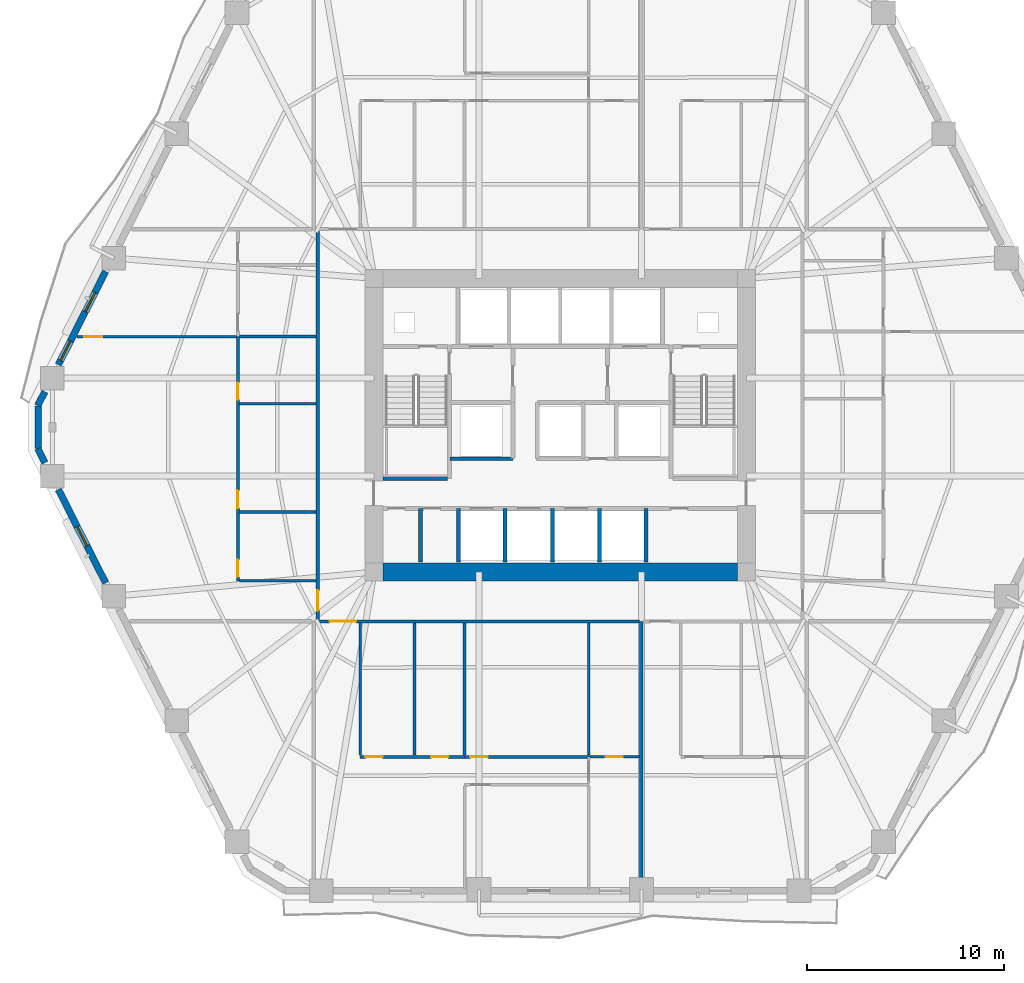
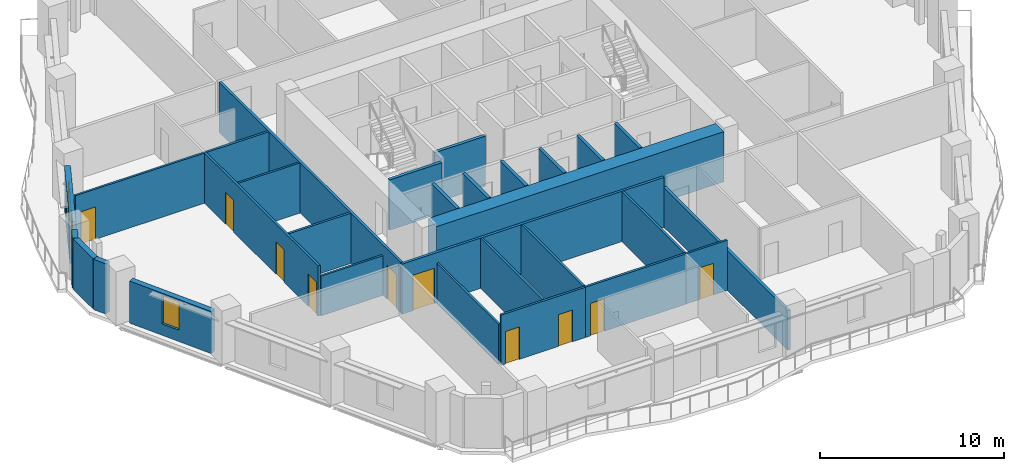
# One storey, part 4 of 14: 30 walls, 10 doors, 3 windows, 13 openings.
"""IFC4 building model written with IfcOpenShell, lengths in metres."""

from ifc_helpers import new_model, si_unit, direction, frame, frame_2d, origin, place, context, subcontext, project, spatial, rectangle, extrude, material, layer, layer_set, type_object, element, fill, save


model = new_model("IFC4")

# Units and contexts
model_context = context("Model", 3, precision=1e-05, world=origin(), true_north=direction((0.0, 1.0)))
body_context = subcontext(model_context, "Body", "Model", "MODEL_VIEW")
ifc_project = project(units=[si_unit("LENGTHUNIT", "METRE"), si_unit("AREAUNIT", "SQUARE_METRE"), si_unit("VOLUMEUNIT", "CUBIC_METRE"), si_unit("PLANEANGLEUNIT", "RADIAN"), si_unit("MASSUNIT", "GRAM", prefix="KILO")], contexts=[model_context])

# Site, building, storey
site_placement = place(None, origin())
site = spatial("IfcSite", under=ifc_project, at=site_placement, CompositionType="ELEMENT")
building_placement = place(site_placement, origin())
building = spatial("IfcBuilding", under=site, at=building_placement, Name="Cinnabar Lancet Tower", CompositionType="ELEMENT")
storey_placement = place(building_placement, frame((0.0, 0.0, 53.300048828125)))
storey = spatial("IfcBuildingStorey", under=building, at=storey_placement, Name="L13", CompositionType="ELEMENT", Elevation=53.300048828125)

# Wall, opening, door
ifc_material_1 = material(Name="Acoustic twin-stud gypsum partition", Category="gypsum")
ifc_layer_1 = layer(ifc_material_1, 0.159912109375)
ifc_layer_set_1 = layer_set([ifc_layer_1], Name="Acoustic twin-stud gypsum partition")
wall_type_1 = type_object("IfcWallType", Name="ARC-WL-CORR-160", PredefinedType="PARTITIONING", material=ifc_layer_set_1)
wall_1_placement = place(storey_placement, frame((19.9951171875, 15.949951171875, 0.0), z_axis=(0.0, 0.0, 1.0), x_axis=(1.0, 0.0, 0.0)))
wall_1 = element("IfcWall", 1, at=wall_1_placement, inside=storey, type_object=wall_type_1, Name="L13 Unit S01 Corridor Wall", PredefinedType="PARTITIONING", context=body_context, shape_type="SweptSolid", body=[
    extrude(rectangle(XDim=16.431884765625, YDim=0.159912109375, at=frame_2d((8.2158203125, 0.0))), origin(), (0.0, 0.0, 1.0), 3.329833984375),
])
opening_1_placement = place(wall_1_placement, frame((0.705078125, 0.0, 0.0)))
opening_1 = element("IfcOpeningElement", 2, at=opening_1_placement, cuts=wall_1, Name="Opening UD-02", PredefinedType="OPENING", context=body_context, shape_type="SweptSolid", body=[
    extrude(rectangle(XDim=1.35009765625, YDim=2.35009765625, at=frame_2d((0.675048828125, 1.175048828125))), frame((0.0, 0.08984375, 0.0), z_axis=(0.0, -1.0, 0.0), x_axis=(1.0, 0.0, 0.0)), (0.0, 0.0, 1.0), 0.179931640625),
])
ifc_material_2 = material(Name="Double-leaf solid timber penthouse entrance door", Category="wood")
door_type_1 = type_object("IfcDoorType", Name="ARC-DR-UNIT-PH", OperationType="NOTDEFINED", PredefinedType="DOOR", material=ifc_material_2)
door_1_placement = place(opening_1_placement, origin())
door_1 = element("IfcDoor", 3, at=door_1_placement, inside=storey, type_object=door_type_1, Name="DR-L13-S01-ENT", OperationType="SINGLE_SWING_LEFT", OverallHeight=2.35009765625, OverallWidth=1.35009765625, PredefinedType="DOOR", context=body_context, shape_type="SweptSolid", body=[
    extrude(rectangle(XDim=1.35009765625, YDim=2.35009765625, at=frame_2d((0.675048828125, 1.175048828125))), frame((0.0, 0.02490234375, 0.0), z_axis=(0.0, -1.0, 0.0), x_axis=(1.0, 0.0, 0.0)), (0.0, 0.0, 1.0), 0.050048828125),
])
fill(opening_1, door_1)

wall_2_placement = place(storey_placement, frame((20.10009765625, 16.044921875, 0.0), z_axis=(0.0, 0.0, 1.0), x_axis=(0.0, 1.0, 0.0)))
wall_2 = element("IfcWall", 4, at=wall_2_placement, inside=storey, type_object=wall_type_1, Name="UW-L13-W01-COR", PredefinedType="PARTITIONING", context=body_context, shape_type="SweptSolid", body=[
    extrude(rectangle(XDim=19.7099609375, YDim=0.159912109375, at=frame_2d((9.85498046875, 0.0))), origin(), (0.0, 0.0, 1.0), 3.329833984375),
])
opening_2_placement = place(wall_2_placement, frame((0.449951171875, 0.0, 0.0)))
opening_2 = element("IfcOpeningElement", 5, at=opening_2_placement, cuts=wall_2, Name="Opening UD-01", PredefinedType="OPENING", context=body_context, shape_type="SweptSolid", body=[
    extrude(rectangle(XDim=1.02001953125, YDim=2.25, at=frame_2d((0.510009765625, 1.125))), frame((0.0, 0.08984375, 0.0), z_axis=(0.0, -1.0, 0.0), x_axis=(1.0, 0.0, 0.0)), (0.0, 0.0, 1.0), 0.179931640625),
])
ifc_material_3 = material(Name="Solid timber fire-rated apartment entrance door", Category="wood")
door_type_2 = type_object("IfcDoorType", Name="ARC-DR-UNIT", OperationType="NOTDEFINED", PredefinedType="DOOR", material=ifc_material_3)
door_2_placement = place(opening_2_placement, origin())
door_2 = element("IfcDoor", 6, at=door_2_placement, inside=storey, type_object=door_type_2, Name="DR-L13-W01-ENT", OperationType="SINGLE_SWING_LEFT", OverallHeight=2.25, OverallWidth=1.02001953125, PredefinedType="DOOR", context=body_context, shape_type="SweptSolid", body=[
    extrude(rectangle(XDim=1.02001953125, YDim=2.25, at=frame_2d((0.510009765625, 1.125))), frame((0.0, 0.02490234375, 0.0), z_axis=(0.0, -1.0, 0.0), x_axis=(1.0, 0.0, 0.0)), (0.0, 0.0, 1.0), 0.050048828125),
])
fill(opening_2, door_2)

# Walls
ifc_material_4 = material(Name="Fire-rated twin-frame acoustic drywall", Category="gypsum")
ifc_layer_2 = layer(ifc_material_4, 0.179931640625)
ifc_layer_set_2 = layer_set([ifc_layer_2], Name="Fire-rated twin-frame acoustic drywall")
wall_type_2 = type_object("IfcWallType", Name="ARC-WL-PARTY-180", PredefinedType="PARTITIONING", material=ifc_layer_set_2)
wall_3_placement = place(storey_placement, frame((36.52197265625, 2.455078125, 0.0), z_axis=(0.0, 0.0, 1.0), x_axis=(0.0, 1.0, 0.0)))
element("IfcWall", 7, at=wall_3_placement, inside=storey, type_object=wall_type_2, Name="PW-L13-SPTY-365", PredefinedType="PARTITIONING", context=body_context, shape_type="SweptSolid", body=[
    extrude(rectangle(XDim=13.494873046875, YDim=0.179931640625, at=frame_2d((6.74755859375, 0.0))), origin(), (0.0, 0.0, 1.0), 2.636962890625),
])
ifc_material_5 = material(Name="Autoclaved aerated concrete blockwork", Category="masonry")
ifc_layer_3 = layer(ifc_material_5, 0.199951171875)
ifc_layer_set_3 = layer_set([ifc_layer_3], Name="Autoclaved aerated concrete blockwork")
wall_type_3 = type_object("IfcWallType", Name="ARC-WL-SHAFT-200", PredefinedType="PLUMBINGWALL", material=ifc_layer_set_3)
wall_4_placement = place(storey_placement, frame((23.405029296875, 23.199951171875, 0.0), z_axis=(0.0, 0.0, 1.0), x_axis=(1.0, 0.0, 0.0)))
element("IfcWall", 8, at=wall_4_placement, inside=storey, type_object=wall_type_3, Name="CW-ST1S-L13", PredefinedType="PLUMBINGWALL", context=body_context, shape_type="SweptSolid", body=[
    extrude(rectangle(XDim=3.27001953125, YDim=0.199951171875, at=frame_2d((1.635009765625, 0.0))), origin(), (0.0, 0.0, 1.0), 3.329833984375),
])
wall_5_placement = place(storey_placement, frame((26.800048828125, 24.199951171875, 0.0), z_axis=(0.0, 0.0, 1.0), x_axis=(1.0, 0.0, 0.0)))
element("IfcWall", 9, at=wall_5_placement, inside=storey, type_object=wall_type_3, Name="CW-PL5S-L13", PredefinedType="PLUMBINGWALL", context=body_context, shape_type="SweptSolid", body=[
    extrude(rectangle(XDim=3.199951171875, YDim=0.199951171875, at=frame_2d((1.60009765625, 0.0))), origin(), (0.0, 0.0, 1.0), 3.329833984375),
])
for number, where, z_axis, x_axis, name in (
    (10, (27.25, 18.949951171875, 0.0), (0.0, 0.0, 1.0), (0.0, 1.0, 0.0), "CW-SB-2725-L13"),
    (11, (29.60009765625, 18.949951171875, 0.0), (0.0, 0.0, 1.0), (0.0, 1.0, 0.0), "CW-SB-2960-L13"),
    (12, (32.0, 18.949951171875, 0.0), (0.0, 0.0, 1.0), (0.0, 1.0, 0.0), "CW-SB-3200-L13"),
    (13, (34.39990234375, 18.949951171875, 0.0), (0.0, 0.0, 1.0), (0.0, 1.0, 0.0), "CW-SB-3440-L13"),
    (14, (36.75, 18.949951171875, 0.0), (0.0, 0.0, 1.0), (0.0, 1.0, 0.0), "CW-SB-3675-L13"),
    (15, (25.300048828125, 18.949951171875, 0.0), (0.0, 0.0, 1.0), (0.0, 1.0, 0.0), "CW-SB-SW-L13"),
):
    element("IfcWall", number, at=place(storey_placement, frame(where, z_axis=z_axis, x_axis=x_axis)), inside=storey, type_object=wall_type_3, Name=name, PredefinedType="PLUMBINGWALL", context=body_context, shape_type="SweptSolid", body=[
        extrude(rectangle(XDim=2.72998046875, YDim=0.199951171875, at=frame_2d((1.364990234375, 0.0))), origin(), (0.0, 0.0, 1.0), 3.329833984375),
    ])
ifc_material_6 = material(Name="Gypsum plasterboard stud partition", Category="gypsum")
ifc_layer_4 = layer(ifc_material_6, 0.125)
ifc_layer_set_4 = layer_set([ifc_layer_4], Name="Gypsum plasterboard stud partition")
wall_type_4 = type_object("IfcWallType", Name="ARC-WL-UNIT-125", PredefinedType="PARTITIONING", material=ifc_layer_set_4)
wall_6_placement = place(storey_placement, frame((22.25, 9.173095703125, 0.0), z_axis=(0.0, 0.0, 1.0), x_axis=(0.0, 1.0, 0.0)))
element("IfcWall", 16, at=wall_6_placement, inside=storey, type_object=wall_type_4, Name="UW-L13-S01-FOYE", PredefinedType="PARTITIONING", context=body_context, shape_type="SweptSolid", body=[
    extrude(rectangle(XDim=6.69189453125, YDim=0.125, at=frame_2d((3.345947265625, 0.0))), origin(), (0.0, 0.0, 1.0), 2.636962890625),
])

# Wall, opening, door
wall_7_placement = place(storey_placement, frame((33.85009765625, 9.068115234375, 0.0), z_axis=(0.0, 0.0, 1.0), x_axis=(1.0, 0.0, 0.0)))
wall_7 = element("IfcWall", 17, at=wall_7_placement, inside=storey, type_object=wall_type_4, Name="UW-L13-S01-SP2", PredefinedType="PARTITIONING", context=body_context, shape_type="SweptSolid", body=[
    extrude(rectangle(XDim=2.576904296875, YDim=0.125, at=frame_2d((1.28857421875, 0.0))), origin(), (0.0, 0.0, 1.0), 3.329833984375),
])
opening_3_placement = place(wall_7_placement, frame((0.863037109375, 0.0, 0.0)))
opening_3 = element("IfcOpeningElement", 18, at=opening_3_placement, cuts=wall_7, Name="Opening BD-01", PredefinedType="OPENING", context=body_context, shape_type="SweptSolid", body=[
    extrude(rectangle(XDim=0.860107421875, YDim=2.10009765625, at=frame_2d((0.43017578125, 1.050048828125))), frame((0.0, 0.072509765625, 0.0), z_axis=(0.0, -1.0, 0.0), x_axis=(1.0, 0.0, 0.0)), (0.0, 0.0, 1.0), 0.14501953125),
])
ifc_material_7 = material(Name="Moisture-resistant timber bathroom door", Category="wood")
door_type_3 = type_object("IfcDoorType", Name="ARC-DR-BATH", OperationType="NOTDEFINED", PredefinedType="DOOR", material=ifc_material_7)
door_3_placement = place(opening_3_placement, origin())
door_3 = element("IfcDoor", 19, at=door_3_placement, inside=storey, type_object=door_type_3, Name="DR-L13-S01-ENS", OperationType="SINGLE_SWING_LEFT", OverallHeight=2.10009765625, OverallWidth=0.860107421875, PredefinedType="DOOR", context=body_context, shape_type="SweptSolid", body=[
    extrude(rectangle(XDim=0.860107421875, YDim=2.10009765625, at=frame_2d((0.43017578125, 1.050048828125))), frame((0.0, 0.02490234375, 0.0), z_axis=(0.0, -1.0, 0.0), x_axis=(1.0, 0.0, 0.0)), (0.0, 0.0, 1.0), 0.050048828125),
])
fill(opening_3, door_3)

# Wall
wall_8_placement = place(storey_placement, frame((16.135009765625, 18.0, 0.0), z_axis=(0.0, 0.0, 1.0), x_axis=(1.0, 0.0, 0.0)))
element("IfcWall", 20, at=wall_8_placement, inside=storey, type_object=wall_type_4, Name="UW-L13-W01-FOYN", PredefinedType="PARTITIONING", context=body_context, shape_type="SweptSolid", body=[
    extrude(rectangle(XDim=3.8798828125, YDim=0.125, at=frame_2d((1.93994140625, 0.0))), origin(), (0.0, 0.0, 1.0), 2.636962890625),
])

# Wall, opening, door
wall_9_placement = place(storey_placement, frame((7.889892578125, 30.39697265625, 0.0), z_axis=(0.0, 0.0, 1.0), x_axis=(1.0, 0.0, 0.0)))
wall_9 = element("IfcWall", 21, at=wall_9_placement, inside=storey, type_object=wall_type_4, Name="UW-L13-W01-MBN", PredefinedType="PARTITIONING", context=body_context, shape_type="SweptSolid", body=[
    extrude(rectangle(XDim=8.085205078125, YDim=0.125, at=frame_2d((4.04248046875, 0.0))), origin(), (0.0, 0.0, 1.0), 3.329833984375),
])
opening_4_placement = place(wall_9_placement, frame((0.35009765625, 0.0, 0.0)))
opening_4 = element("IfcOpeningElement", 22, at=opening_4_placement, cuts=wall_9, Name="Opening RD-01", PredefinedType="OPENING", context=body_context, shape_type="SweptSolid", body=[
    extrude(rectangle(XDim=0.919921875, YDim=2.14990234375, at=frame_2d((0.4599609375, 1.074951171875))), frame((0.0, 0.072509765625, 0.0), z_axis=(0.0, -1.0, 0.0), x_axis=(1.0, 0.0, 0.0)), (0.0, 0.0, 1.0), 0.14501953125),
])
ifc_material_8 = material(Name="Engineered timber bedroom door", Category="wood")
door_type_4 = type_object("IfcDoorType", Name="ARC-DR-ROOM", OperationType="NOTDEFINED", PredefinedType="DOOR", material=ifc_material_8)
door_4_placement = place(opening_4_placement, origin())
door_4 = element("IfcDoor", 23, at=door_4_placement, inside=storey, type_object=door_type_4, Name="DR-L13-W01-MBD", OperationType="SINGLE_SWING_LEFT", OverallHeight=2.14990234375, OverallWidth=0.919921875, PredefinedType="DOOR", context=body_context, shape_type="SweptSolid", body=[
    extrude(rectangle(XDim=0.919921875, YDim=2.14990234375, at=frame_2d((0.4599609375, 1.074951171875))), frame((0.0, 0.02490234375, 0.0), z_axis=(0.0, -1.0, 0.0), x_axis=(1.0, 0.0, 0.0)), (0.0, 0.0, 1.0), 0.050048828125),
])
fill(opening_4, door_4)

# Wall
wall_10_placement = place(storey_placement, frame((16.135009765625, 26.9970703125, 0.0), z_axis=(0.0, 0.0, 1.0), x_axis=(1.0, 0.0, 0.0)))
element("IfcWall", 24, at=wall_10_placement, inside=storey, type_object=wall_type_4, Name="UW-L13-W01-UDV", PredefinedType="PARTITIONING", context=body_context, shape_type="SweptSolid", body=[
    extrude(rectangle(XDim=3.8798828125, YDim=0.125, at=frame_2d((1.93994140625, 0.0))), origin(), (0.0, 0.0, 1.0), 3.329833984375),
])

# Wall, openings, doors
ifc_material_9 = material(Name="Moisture-resistant cement-board plumbing wall", Category="masonry")
ifc_layer_5 = layer(ifc_material_9, 0.139892578125)
ifc_layer_set_5 = layer_set([ifc_layer_5], Name="Moisture-resistant cement-board plumbing wall")
wall_type_5 = type_object("IfcWallType", Name="ARC-WL-WET-140", PredefinedType="PLUMBINGWALL", material=ifc_layer_set_5)
wall_11_placement = place(storey_placement, frame((22.25, 9.068115234375, 0.0), z_axis=(0.0, 0.0, 1.0), x_axis=(1.0, 0.0, 0.0)))
wall_11 = element("IfcWall", 25, at=wall_11_placement, inside=storey, type_object=wall_type_5, Name="UW-L13-S01-SPL", PredefinedType="PLUMBINGWALL", context=body_context, shape_type="SweptSolid", body=[
    extrude(rectangle(XDim=5.2958984375, YDim=0.139892578125, at=frame_2d((2.64794921875, 0.0))), origin(), (0.0, 0.0, 1.0), 3.329833984375),
])
opening_5_placement = place(wall_11_placement, frame((3.60009765625, 0.0, 0.0)))
opening_5 = element("IfcOpeningElement", 26, at=opening_5_placement, cuts=wall_11, Name="Opening BD-01", PredefinedType="OPENING", context=body_context, shape_type="SweptSolid", body=[
    extrude(rectangle(XDim=0.860107421875, YDim=2.10009765625, at=frame_2d((0.43017578125, 1.050048828125))), frame((0.0, 0.079833984375, 0.0), z_axis=(0.0, -1.0, 0.0), x_axis=(1.0, 0.0, 0.0)), (0.0, 0.0, 1.0), 0.159912109375),
])
opening_6_placement = place(wall_11_placement, frame((0.260009765625, 0.0, 0.0)))
opening_6 = element("IfcOpeningElement", 27, at=opening_6_placement, cuts=wall_11, Name="Opening RD-02", PredefinedType="OPENING", context=body_context, shape_type="SweptSolid", body=[
    extrude(rectangle(XDim=0.8798828125, YDim=2.14990234375, at=frame_2d((0.43994140625, 1.074951171875))), frame((0.0, 0.079833984375, 0.0), z_axis=(0.0, -1.0, 0.0), x_axis=(1.0, 0.0, 0.0)), (0.0, 0.0, 1.0), 0.159912109375),
])
door_5_placement = place(opening_5_placement, origin())
door_5 = element("IfcDoor", 28, at=door_5_placement, inside=storey, type_object=door_type_3, Name="DR-L13-S01-BTH", OperationType="SINGLE_SWING_LEFT", OverallHeight=2.10009765625, OverallWidth=0.860107421875, PredefinedType="DOOR", context=body_context, shape_type="SweptSolid", body=[
    extrude(rectangle(XDim=0.860107421875, YDim=2.10009765625, at=frame_2d((0.43017578125, 1.050048828125))), frame((0.0, 0.02490234375, 0.0), z_axis=(0.0, -1.0, 0.0), x_axis=(1.0, 0.0, 0.0)), (0.0, 0.0, 1.0), 0.050048828125),
])
fill(opening_5, door_5)
ifc_material_10 = material(Name="Engineered timber study door", Category="wood")
door_type_5 = type_object("IfcDoorType", Name="ARC-DR-STUDY", OperationType="NOTDEFINED", PredefinedType="DOOR", material=ifc_material_10)
door_6_placement = place(opening_6_placement, origin())
door_6 = element("IfcDoor", 29, at=door_6_placement, inside=storey, type_object=door_type_5, Name="DR-L13-S01-KIT", OperationType="SINGLE_SWING_RIGHT", OverallHeight=2.14990234375, OverallWidth=0.8798828125, PredefinedType="DOOR", context=body_context, shape_type="SweptSolid", body=[
    extrude(rectangle(XDim=0.8798828125, YDim=2.14990234375, at=frame_2d((0.43994140625, 1.074951171875))), frame((0.0, 0.02490234375, 0.0), z_axis=(0.0, -1.0, 0.0), x_axis=(1.0, 0.0, 0.0)), (0.0, 0.0, 1.0), 0.050048828125),
])
fill(opening_6, door_6)

# Wall, opening, door
wall_12_placement = place(storey_placement, frame((27.5458984375, 9.068115234375, 0.0), z_axis=(0.0, 0.0, 1.0), x_axis=(1.0, 0.0, 0.0)))
wall_12 = element("IfcWall", 30, at=wall_12_placement, inside=storey, type_object=wall_type_5, Name="UW-L13-S01-SPM", PredefinedType="PLUMBINGWALL", context=body_context, shape_type="SweptSolid", body=[
    extrude(rectangle(XDim=6.30419921875, YDim=0.139892578125, at=frame_2d((3.152099609375, 0.0))), origin(), (0.0, 0.0, 1.0), 3.329833984375),
])
opening_7_placement = place(wall_12_placement, frame((0.300048828125, 0.0, 0.0)))
opening_7 = element("IfcOpeningElement", 31, at=opening_7_placement, cuts=wall_12, Name="Opening RD-02", PredefinedType="OPENING", context=body_context, shape_type="SweptSolid", body=[
    extrude(rectangle(XDim=0.8798828125, YDim=2.14990234375, at=frame_2d((0.43994140625, 1.074951171875))), frame((0.0, 0.079833984375, 0.0), z_axis=(0.0, -1.0, 0.0), x_axis=(1.0, 0.0, 0.0)), (0.0, 0.0, 1.0), 0.159912109375),
])
door_7_placement = place(opening_7_placement, origin())
door_7 = element("IfcDoor", 32, at=door_7_placement, inside=storey, type_object=door_type_5, Name="DR-L13-S01-UTL", OperationType="SINGLE_SWING_LEFT", OverallHeight=2.14990234375, OverallWidth=0.8798828125, PredefinedType="DOOR", context=body_context, shape_type="SweptSolid", body=[
    extrude(rectangle(XDim=0.8798828125, YDim=2.14990234375, at=frame_2d((0.43994140625, 1.074951171875))), frame((0.0, 0.02490234375, 0.0), z_axis=(0.0, -1.0, 0.0), x_axis=(1.0, 0.0, 0.0)), (0.0, 0.0, 1.0), 0.050048828125),
])
fill(opening_7, door_7)

# Walls
for number, where, z_axis, x_axis, name in (
    (33, (25.00390625, 9.173095703125, 0.0), (0.0, 0.0, 1.0), (0.0, 1.0, 0.0), "UW-L13-S01-KDV"),
    (34, (27.5458984375, 9.173095703125, 0.0), (0.0, 0.0, 1.0), (0.0, 1.0, 0.0), "UW-L13-S01-ENSW"),
    (35, (33.85009765625, 9.173095703125, 0.0), (0.0, 0.0, 1.0), (0.0, 1.0, 0.0), "UW-L13-S01-ENSE"),
):
    element("IfcWall", number, at=place(storey_placement, frame(where, z_axis=z_axis, x_axis=x_axis)), inside=storey, type_object=wall_type_5, Name=name, PredefinedType="PLUMBINGWALL", context=body_context, shape_type="SweptSolid", body=[
        extrude(rectangle(XDim=6.69189453125, YDim=0.139892578125, at=frame_2d((3.345947265625, 0.0))), origin(), (0.0, 0.0, 1.0), 3.329833984375),
    ])

# Wall, openings, doors
wall_13_placement = place(storey_placement, frame((16.050048828125, 18.0, 0.0), z_axis=(0.0, 0.0, 1.0), x_axis=(0.0, 1.0, 0.0)))
wall_13 = element("IfcWall", 36, at=wall_13_placement, inside=storey, type_object=wall_type_5, Name="UW-L13-W01-SPL", PredefinedType="PLUMBINGWALL", context=body_context, shape_type="SweptSolid", body=[
    extrude(rectangle(XDim=12.39697265625, YDim=0.139892578125, at=frame_2d((6.198486328125, 0.0))), origin(), (0.0, 0.0, 1.0), 3.329833984375),
])
opening_8_placement = place(wall_13_placement, frame((0.199951171875, 0.0, 0.0)))
opening_8 = element("IfcOpeningElement", 37, at=opening_8_placement, cuts=wall_13, Name="Opening RD-02", PredefinedType="OPENING", context=body_context, shape_type="SweptSolid", body=[
    extrude(rectangle(XDim=0.8798828125, YDim=2.14990234375, at=frame_2d((0.43994140625, 1.074951171875))), frame((0.0, 0.079833984375, 0.0), z_axis=(0.0, -1.0, 0.0), x_axis=(1.0, 0.0, 0.0)), (0.0, 0.0, 1.0), 0.159912109375),
])
opening_9_placement = place(wall_13_placement, frame((3.699951171875, 0.0, 0.0)))
opening_9 = element("IfcOpeningElement", 38, at=opening_9_placement, cuts=wall_13, Name="Opening RD-02", PredefinedType="OPENING", context=body_context, shape_type="SweptSolid", body=[
    extrude(rectangle(XDim=0.8798828125, YDim=2.14990234375, at=frame_2d((0.43994140625, 1.074951171875))), frame((0.0, 0.079833984375, 0.0), z_axis=(0.0, -1.0, 0.0), x_axis=(1.0, 0.0, 0.0)), (0.0, 0.0, 1.0), 0.159912109375),
])
opening_10_placement = place(wall_13_placement, frame((9.197021484375, 0.0, 0.0)))
opening_10 = element("IfcOpeningElement", 39, at=opening_10_placement, cuts=wall_13, Name="Opening BD-01", PredefinedType="OPENING", context=body_context, shape_type="SweptSolid", body=[
    extrude(rectangle(XDim=0.860107421875, YDim=2.10009765625, at=frame_2d((0.43017578125, 1.050048828125))), frame((0.0, 0.079833984375, 0.0), z_axis=(0.0, -1.0, 0.0), x_axis=(1.0, 0.0, 0.0)), (0.0, 0.0, 1.0), 0.159912109375),
])
door_8_placement = place(opening_10_placement, origin())
door_8 = element("IfcDoor", 40, at=door_8_placement, inside=storey, type_object=door_type_3, Name="DR-L13-W01-BTH", OperationType="SINGLE_SWING_RIGHT", OverallHeight=2.10009765625, OverallWidth=0.860107421875, PredefinedType="DOOR", context=body_context, shape_type="SweptSolid", body=[
    extrude(rectangle(XDim=0.860107421875, YDim=2.10009765625, at=frame_2d((0.43017578125, 1.050048828125))), frame((0.0, 0.02490234375, 0.0), z_axis=(0.0, -1.0, 0.0), x_axis=(1.0, 0.0, 0.0)), (0.0, 0.0, 1.0), 0.050048828125),
])
fill(opening_10, door_8)
door_9_placement = place(opening_8_placement, origin())
door_9 = element("IfcDoor", 41, at=door_9_placement, inside=storey, type_object=door_type_5, Name="DR-L13-W01-KIT", OperationType="SINGLE_SWING_RIGHT", OverallHeight=2.14990234375, OverallWidth=0.8798828125, PredefinedType="DOOR", context=body_context, shape_type="SweptSolid", body=[
    extrude(rectangle(XDim=0.8798828125, YDim=2.14990234375, at=frame_2d((0.43994140625, 1.074951171875))), frame((0.0, 0.02490234375, 0.0), z_axis=(0.0, -1.0, 0.0), x_axis=(1.0, 0.0, 0.0)), (0.0, 0.0, 1.0), 0.050048828125),
])
fill(opening_8, door_9)
door_10_placement = place(opening_9_placement, origin())
door_10 = element("IfcDoor", 42, at=door_10_placement, inside=storey, type_object=door_type_5, Name="DR-L13-W01-UTL", OperationType="SINGLE_SWING_LEFT", OverallHeight=2.14990234375, OverallWidth=0.8798828125, PredefinedType="DOOR", context=body_context, shape_type="SweptSolid", body=[
    extrude(rectangle(XDim=0.8798828125, YDim=2.14990234375, at=frame_2d((0.43994140625, 1.074951171875))), frame((0.0, 0.02490234375, 0.0), z_axis=(0.0, -1.0, 0.0), x_axis=(1.0, 0.0, 0.0)), (0.0, 0.0, 1.0), 0.050048828125),
])
fill(opening_9, door_10)

# Walls
for number, where, z_axis, x_axis, name in (
    (43, (16.135009765625, 30.39697265625, 0.0), (0.0, 0.0, 1.0), (1.0, 0.0, 0.0), "UW-L13-W01-ENSN"),
    (44, (16.135009765625, 21.5, 0.0), (0.0, 0.0, 1.0), (1.0, 0.0, 0.0), "UW-L13-W01-KDV"),
):
    element("IfcWall", number, at=place(storey_placement, frame(where, z_axis=z_axis, x_axis=x_axis)), inside=storey, type_object=wall_type_5, Name=name, PredefinedType="PLUMBINGWALL", context=body_context, shape_type="SweptSolid", body=[
        extrude(rectangle(XDim=3.8798828125, YDim=0.139892578125, at=frame_2d((1.93994140625, 0.0))), origin(), (0.0, 0.0, 1.0), 3.329833984375),
    ])
ifc_material_11 = material(Name="Cinnabar red clay brick", Category="masonry")
ifc_layer_6 = layer(ifc_material_11, 0.340087890625)
ifc_layer_set_6 = layer_set([ifc_layer_6], Name="Cinnabar red clay brick")
wall_type_6 = type_object("IfcWallType", Name="ENV-WL-BRK-RED-340", PredefinedType="STANDARD", material=ifc_layer_set_6)
wall_14_placement = place(storey_placement, frame((5.912109375, 26.885986328125, 0.0), z_axis=(0.0, 0.0, 1.0), x_axis=(0.0, -1.0, 0.0)))
element("IfcWall", 45, at=wall_14_placement, inside=storey, type_object=wall_type_6, Name="L13 Chamfered Corner Brick Pier 6.1", PredefinedType="STANDARD", context=body_context, shape_type="SweptSolid", body=[
    extrude(rectangle(XDim=2.171875, YDim=0.340087890625, at=frame_2d((1.0859375, 0.0))), origin(), (0.0, 0.0, 1.0), 3.329833984375),
])

# Wall, openings, windows
wall_15_placement = place(storey_placement, frame((9.3349609375, 33.698974609375, 0.0), z_axis=(0.0, 0.0, 1.0), x_axis=(-0.451590635984, -0.892225250422, 0.0)))
wall_15 = element("IfcWall", 46, at=wall_15_placement, inside=storey, type_object=wall_type_6, Name="L13 Face 5 Masonry Bay Wall 4", PredefinedType="STANDARD", context=body_context, shape_type="SweptSolid", body=[
    extrude(rectangle(XDim=5.303466796875, YDim=0.340087890625, at=frame_2d((2.65185546875, 0.0))), origin(), (0.0, 0.0, 1.0), 2.786865234375),
])
opening_11_placement = place(wall_15_placement, frame((1.18896484375, 0.0, 0.75)))
opening_11 = element("IfcOpeningElement", 47, at=opening_11_placement, cuts=wall_15, Name="Opening WN-04", PredefinedType="OPENING", context=body_context, shape_type="SweptSolid", body=[
    extrude(rectangle(XDim=1.10009765625, YDim=1.886962890625, at=frame_2d((0.550048828125, 0.943359375))), frame((0.0, 0.179931640625, 0.0), z_axis=(0.0, -1.0, 0.0), x_axis=(1.0, 0.0, 0.0)), (0.0, 0.0, 1.0), 0.360107421875),
])
opening_12_placement = place(wall_15_placement, frame((3.9609375, 0.0, 0.75)))
opening_12 = element("IfcOpeningElement", 48, at=opening_12_placement, cuts=wall_15, Name="Opening WN-04", PredefinedType="OPENING", context=body_context, shape_type="SweptSolid", body=[
    extrude(rectangle(XDim=1.10009765625, YDim=1.886962890625, at=frame_2d((0.550048828125, 0.943359375))), frame((0.0, 0.179931640625, 0.0), z_axis=(0.0, -1.0, 0.0), x_axis=(1.0, 0.0, 0.0)), (0.0, 0.0, 1.0), 0.360107421875),
])
ifc_material_12 = material(Name="Thermally broken bronze-anodized aluminium tall lancet window", Category="aluminium")
window_type = type_object("IfcWindowType", Name="ENV-WN-LANCET-1100", PartitioningType="SINGLE_PANEL", PredefinedType="WINDOW", material=ifc_material_12)
window_1_placement = place(opening_11_placement, origin())
window_1 = element("IfcWindow", 49, at=window_1_placement, inside=storey, type_object=window_type, Name="L13 Face 5 Gothic Lancet Window 4", OverallHeight=1.886962890625, OverallWidth=1.10009765625, PartitioningType="SINGLE_PANEL", PredefinedType="WINDOW", context=body_context, shape_type="SweptSolid", body=[
    extrude(rectangle(XDim=1.10009765625, YDim=1.886962890625, at=frame_2d((0.550048828125, 0.943359375))), frame((0.0, 0.030029296875, 0.0), z_axis=(0.0, -1.0, 0.0), x_axis=(1.0, 0.0, 0.0)), (0.0, 0.0, 1.0), 0.06005859375),
])
fill(opening_11, window_1)
window_2_placement = place(opening_12_placement, origin())
window_2 = element("IfcWindow", 50, at=window_2_placement, inside=storey, type_object=window_type, Name="L13 Split-Bay Gothic Lancet Window 31", OverallHeight=1.886962890625, OverallWidth=1.10009765625, PartitioningType="SINGLE_PANEL", PredefinedType="WINDOW", context=body_context, shape_type="SweptSolid", body=[
    extrude(rectangle(XDim=1.10009765625, YDim=1.886962890625, at=frame_2d((0.550048828125, 0.943359375))), frame((0.0, 0.030029296875, 0.0), z_axis=(0.0, -1.0, 0.0), x_axis=(1.0, 0.0, 0.0)), (0.0, 0.0, 1.0), 0.06005859375),
])
fill(opening_12, window_2)

# Walls
for number, where, z_axis, x_axis, name in (
    (51, (6.251953125, 27.60498046875, 0.0), (0.0, 0.0, 1.0), (-0.452101093511, -0.891966704113, 0.0), "L13 Face 5 Masonry Bay Wall 5"),
    (52, (5.89111328125, 24.70703125, 0.0), (0.0, 0.0, 1.0), (0.452101093511, -0.891966704113, 0.0), "L13 Face 6 Masonry Bay Wall 1"),
):
    element("IfcWall", number, at=place(storey_placement, frame(where, z_axis=z_axis, x_axis=x_axis)), inside=storey, type_object=wall_type_6, Name=name, PredefinedType="STANDARD", context=body_context, shape_type="SweptSolid", body=[
        extrude(rectangle(XDim=0.798095703125, YDim=0.340087890625, at=frame_2d((0.39892578125, 0.0))), origin(), (0.0, 0.0, 1.0), 3.329833984375),
    ])

# Wall, opening, window
wall_16_placement = place(storey_placement, frame((6.93994140625, 22.633056640625, 0.0), z_axis=(0.0, 0.0, 1.0), x_axis=(0.451572088722, -0.892234637686, 0.0)))
wall_16 = element("IfcWall", 53, at=wall_16_placement, inside=storey, type_object=wall_type_6, Name="L13 Face 6 Masonry Bay Wall 2", PredefinedType="STANDARD", context=body_context, shape_type="SweptSolid", body=[
    extrude(rectangle(XDim=5.3037109375, YDim=0.340087890625, at=frame_2d((2.65185546875, 0.0))), origin(), (0.0, 0.0, 1.0), 2.786865234375),
])
opening_13_placement = place(wall_16_placement, frame((2.10205078125, 0.0, 0.75)))
opening_13 = element("IfcOpeningElement", 54, at=opening_13_placement, cuts=wall_16, Name="Opening WN-04", PredefinedType="OPENING", context=body_context, shape_type="SweptSolid", body=[
    extrude(rectangle(XDim=1.10009765625, YDim=1.886962890625, at=frame_2d((0.550048828125, 0.943359375))), frame((0.0, 0.179931640625, 0.0), z_axis=(0.0, -1.0, 0.0), x_axis=(1.0, 0.0, 0.0)), (0.0, 0.0, 1.0), 0.360107421875),
])
window_3_placement = place(opening_13_placement, origin())
window_3 = element("IfcWindow", 55, at=window_3_placement, inside=storey, type_object=window_type, Name="L13 Face 6 Gothic Lancet Window 2", OverallHeight=1.886962890625, OverallWidth=1.10009765625, PartitioningType="SINGLE_PANEL", PredefinedType="WINDOW", context=body_context, shape_type="SweptSolid", body=[
    extrude(rectangle(XDim=1.10009765625, YDim=1.886962890625, at=frame_2d((0.550048828125, 0.943359375))), frame((0.0, 0.030029296875, 0.0), z_axis=(0.0, -1.0, 0.0), x_axis=(1.0, 0.0, 0.0)), (0.0, 0.0, 1.0), 0.06005859375),
])
fill(opening_13, window_3)

# Wall
ifc_material_13 = material(Name="Concrete C80/95", Category="concrete")
ifc_layer_7 = layer(ifc_material_13, 0.89990234375)
ifc_layer_set_7 = layer_set([ifc_layer_7], Name="Concrete C80/95")
wall_type_7 = type_object("IfcWallType", Name="STR-WL-CORE-900", PredefinedType="SHEAR", material=ifc_layer_set_7)
wall_17_placement = place(storey_placement, frame((23.39990234375, 18.449951171875, 0.0), z_axis=(0.0, 0.0, 1.0), x_axis=(1.0, 0.0, 0.0)))
element("IfcWall", 56, at=wall_17_placement, inside=storey, type_object=wall_type_7, Name="L13 Core Shear Wall S", PredefinedType="SHEAR", context=body_context, shape_type="SweptSolid", body=[
    extrude(rectangle(XDim=18.0, YDim=0.89990234375, at=frame_2d((9.0, 0.0))), origin(), (0.0, 0.0, 1.0), 3.329833984375),
])

save(model, "model.ifc")
